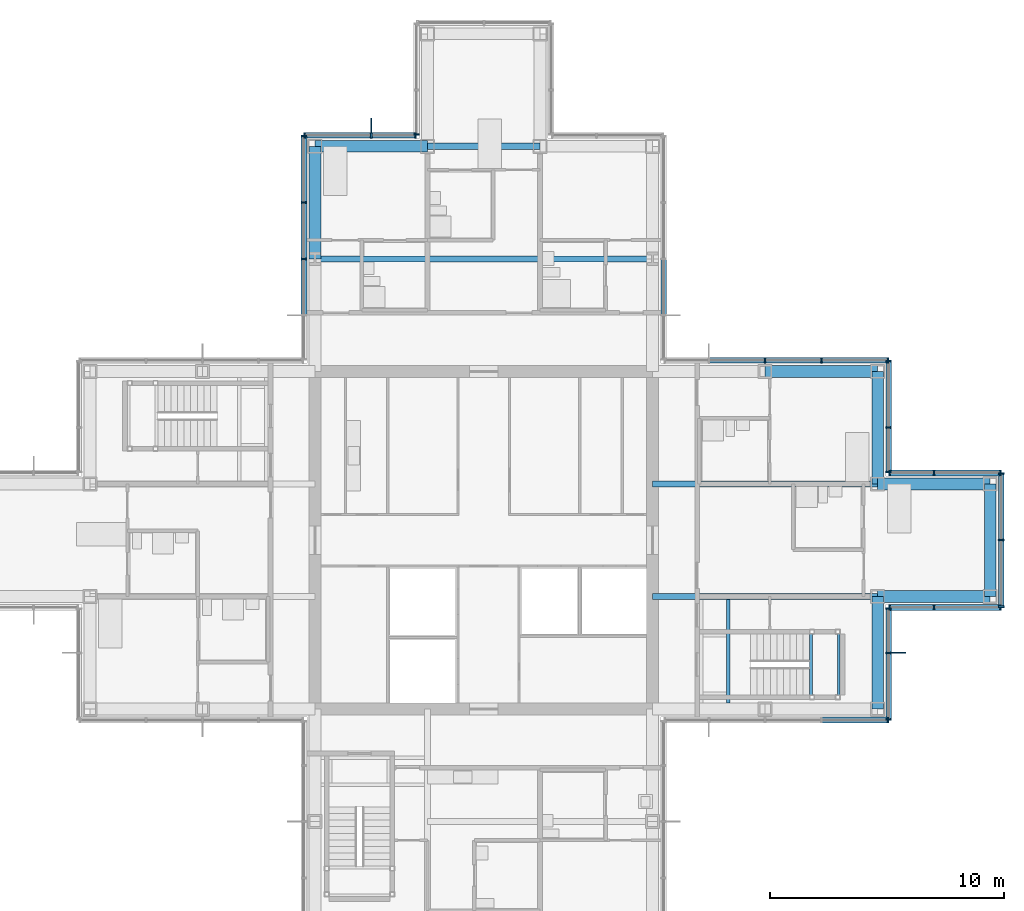
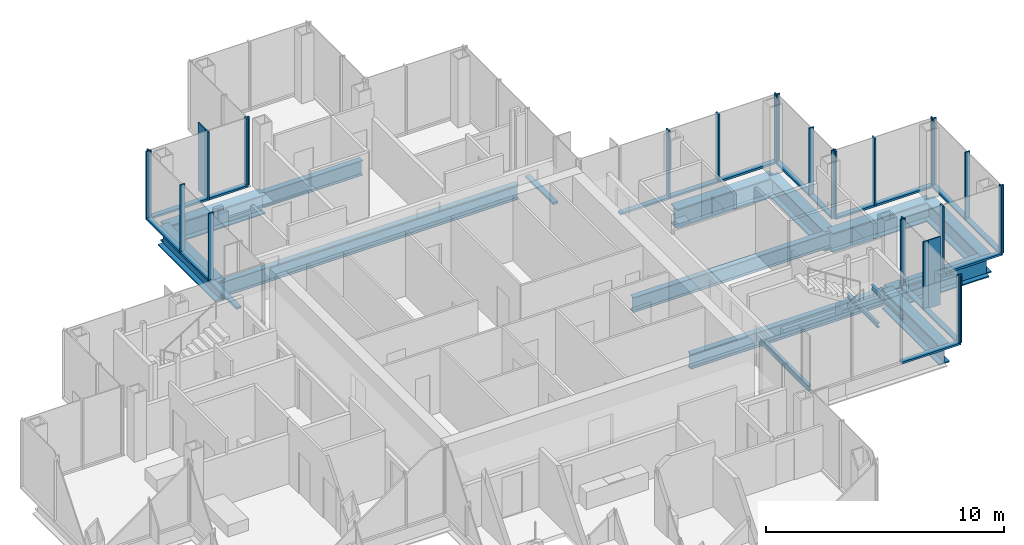
# One storey, part 8 of 17: 48 members, 15 beams, 11 elements without a shape of their own.
"""IFC4 building model written with IfcOpenShell, lengths in metres."""

from ifc_helpers import new_model, si_unit, direction, frame, origin, origin_2d, place, context, subcontext, project, spatial, rectangle, i_section, extrude, material, material_profile, profile_set, type_object, element, aggregate, save


model = new_model("IFC4")

# Units and contexts
model_context = context("Model", 3, precision=1e-05, world=origin(), true_north=direction((0.0, 1.0)))
body_context = subcontext(model_context, "Body", "Model", "MODEL_VIEW")
ifc_project = project(units=[si_unit("LENGTHUNIT", "METRE"), si_unit("AREAUNIT", "SQUARE_METRE"), si_unit("VOLUMEUNIT", "CUBIC_METRE"), si_unit("PLANEANGLEUNIT", "RADIAN"), si_unit("MASSUNIT", "GRAM", prefix="KILO")], contexts=[model_context])

# Site, building, storey
site_placement = place(None, origin())
site = spatial("IfcSite", under=ifc_project, at=site_placement, CompositionType="ELEMENT")
building_placement = place(site_placement, origin())
building = spatial("IfcBuilding", under=site, at=building_placement, Name="Kvirike Care Tower", CompositionType="ELEMENT")
storey_placement = place(building_placement, frame((0.0, 0.0, 151.5)))
storey = spatial("IfcBuildingStorey", under=building, at=storey_placement, Name="L41", CompositionType="ELEMENT", Elevation=151.5)

# Curtain wall, member
ifc_material_1 = material(Name="Anodised aluminium stick system", Category="aluminium")
curtain_wall_type = type_object("IfcCurtainWallType", Name="CW-C STICK CURTAIN WALL", PredefinedType="NOTDEFINED", material=ifc_material_1)
curtain_wall_1_placement = place(storey_placement, origin())
curtain_wall_1 = element("IfcCurtainWall", 1, at=curtain_wall_1_placement, inside=storey, type_object=curtain_wall_type, Name="Curtain wall L41 face 2", PredefinedType="NOTDEFINED")
ifc_material_2 = material(Name="Bronze anodised aluminium fin", Category="aluminium")
ifc_material_profile_1 = material_profile(ifc_material_2, rectangle(XDim=0.050048828125, YDim=0.60009765625, at=origin_2d()), Name="BRONZE FIN 600")
ifc_profile_set_1 = profile_set([ifc_material_profile_1], Name="Bronze anodised aluminium fin")
member_type_1 = type_object("IfcMemberType", Name="BRONZE FIN 600", PredefinedType="USERDEFINED", material=ifc_profile_set_1)
member_1_placement = place(storey_placement, frame((39.2900390625, 31.199951171875, 0.0), z_axis=(0.0, 0.0, 1.0), x_axis=(0.0, 1.0, 0.0)))
member_1 = element("IfcMember", 2, at=member_1_placement, type_object=member_type_1, Name="Bronze fin L41 face 2.2", ObjectType="FIN", PredefinedType="USERDEFINED", context=body_context, shape_type="SweptSolid", body=[
    extrude(rectangle(XDim=0.050048828125, YDim=0.60009765625, at=origin_2d()), origin(), (0.0, 0.0, 1.0), 3.5),
])

curtain_wall_2_placement = place(storey_placement, origin())
curtain_wall_2 = element("IfcCurtainWall", 3, at=curtain_wall_2_placement, inside=storey, type_object=curtain_wall_type, Name="Curtain wall L41 face 13", PredefinedType="NOTDEFINED")
member_2_placement = place(storey_placement, frame((16.800048828125, 53.68994140625, 0.0), z_axis=(0.0, 0.0, 1.0), x_axis=(-1.0, 0.0, 0.0)))
member_2 = element("IfcMember", 4, at=member_2_placement, type_object=member_type_1, Name="Bronze fin L41 face 13.2", ObjectType="FIN", PredefinedType="USERDEFINED", context=body_context, shape_type="SweptSolid", body=[
    extrude(rectangle(XDim=0.050048828125, YDim=0.60009765625, at=origin_2d()), origin(), (0.0, 0.0, 1.0), 3.5),
])

curtain_wall_3_placement = place(storey_placement, origin())
curtain_wall_3 = element("IfcCurtainWall", 5, at=curtain_wall_3_placement, inside=storey, type_object=curtain_wall_type, Name="Curtain wall L41 face 1", PredefinedType="NOTDEFINED")
ifc_material_3 = material(Name="Bronze anodised aluminium mullion", Category="aluminium")
ifc_material_profile_2 = material_profile(ifc_material_3, rectangle(XDim=0.06494140625, YDim=0.239990234375, at=origin_2d()), Name="CW-C MULLION 65x240")
ifc_profile_set_2 = profile_set([ifc_material_profile_2], Name="Bronze anodised aluminium mullion")
member_type_2 = type_object("IfcMemberType", Name="CW-C MULLION 65x240", PredefinedType="MULLION", material=ifc_profile_set_2)
member_3_placement = place(storey_placement, frame((38.83740234375, 28.330078125, 0.0), z_axis=(0.0, 0.0, 1.0), x_axis=(1.0, 0.0, 0.0)))
member_3 = element("IfcMember", 6, at=member_3_placement, type_object=member_type_2, Name="CW-C mullion L41 face 1.5", PredefinedType="MULLION", context=body_context, shape_type="SweptSolid", body=[
    extrude(rectangle(XDim=0.06494140625, YDim=0.239990234375, at=origin_2d()), origin(), (0.0, 0.0, 1.0), 3.5),
])

# Member
member_4_placement = place(storey_placement, frame((38.8701171875, 28.362548828125, 0.0), z_axis=(0.0, 0.0, 1.0), x_axis=(0.0, 1.0, 0.0)))
member_4 = element("IfcMember", 7, at=member_4_placement, type_object=member_type_2, Name="CW-C mullion L41 face 2.1", PredefinedType="MULLION", context=body_context, shape_type="SweptSolid", body=[
    extrude(rectangle(XDim=0.06494140625, YDim=0.239990234375, at=origin_2d()), origin(), (0.0, 0.0, 1.0), 3.5),
])

member_5_placement = place(storey_placement, frame((38.8701171875, 31.199951171875, 0.0), z_axis=(0.0, 0.0, 1.0), x_axis=(0.0, 1.0, 0.0)))
member_5 = element("IfcMember", 8, at=member_5_placement, type_object=member_type_2, Name="CW-C mullion L41 face 2.2", PredefinedType="MULLION", context=body_context, shape_type="SweptSolid", body=[
    extrude(rectangle(XDim=0.06494140625, YDim=0.239990234375, at=origin_2d()), origin(), (0.0, 0.0, 1.0), 3.5),
])

member_6_placement = place(storey_placement, frame((38.8701171875, 33.097412109375, 0.0), z_axis=(0.0, 0.0, 1.0), x_axis=(0.0, 1.0, 0.0)))
member_6 = element("IfcMember", 9, at=member_6_placement, type_object=member_type_2, Name="CW-C mullion L41 face 2.3", PredefinedType="MULLION", context=body_context, shape_type="SweptSolid", body=[
    extrude(rectangle(XDim=0.06494140625, YDim=0.239990234375, at=origin_2d()), origin(), (0.0, 0.0, 1.0), 3.5),
])

# Curtain wall, members
curtain_wall_4_placement = place(storey_placement, origin())
curtain_wall_4 = element("IfcCurtainWall", 10, at=curtain_wall_4_placement, inside=storey, type_object=curtain_wall_type, Name="Curtain wall L41 face 3", PredefinedType="NOTDEFINED")
member_7_placement = place(storey_placement, frame((38.902587890625, 33.1298828125, 0.0), z_axis=(0.0, 0.0, 1.0), x_axis=(1.0, 0.0, 0.0)))
member_7 = element("IfcMember", 11, at=member_7_placement, type_object=member_type_2, Name="CW-C mullion L41 face 3.1", PredefinedType="MULLION", context=body_context, shape_type="SweptSolid", body=[
    extrude(rectangle(XDim=0.06494140625, YDim=0.239990234375, at=origin_2d()), origin(), (0.0, 0.0, 1.0), 3.5),
])
member_8_placement = place(storey_placement, frame((40.800048828125, 33.1298828125, 0.0), z_axis=(0.0, 0.0, 1.0), x_axis=(1.0, 0.0, 0.0)))
member_8 = element("IfcMember", 12, at=member_8_placement, type_object=member_type_2, Name="CW-C mullion L41 face 3.2", PredefinedType="MULLION", context=body_context, shape_type="SweptSolid", body=[
    extrude(rectangle(XDim=0.06494140625, YDim=0.239990234375, at=origin_2d()), origin(), (0.0, 0.0, 1.0), 3.5),
])
member_9_placement = place(storey_placement, frame((43.637451171875, 33.1298828125, 0.0), z_axis=(0.0, 0.0, 1.0), x_axis=(1.0, 0.0, 0.0)))
member_9 = element("IfcMember", 13, at=member_9_placement, type_object=member_type_2, Name="CW-C mullion L41 face 3.3", PredefinedType="MULLION", context=body_context, shape_type="SweptSolid", body=[
    extrude(rectangle(XDim=0.06494140625, YDim=0.239990234375, at=origin_2d()), origin(), (0.0, 0.0, 1.0), 3.5),
])

curtain_wall_5_placement = place(storey_placement, origin())
curtain_wall_5 = element("IfcCurtainWall", 14, at=curtain_wall_5_placement, inside=storey, type_object=curtain_wall_type, Name="Curtain wall L41 face 4", PredefinedType="NOTDEFINED")
member_10_placement = place(storey_placement, frame((43.669921875, 33.16259765625, 0.0), z_axis=(0.0, 0.0, 1.0), x_axis=(0.0, 1.0, 0.0)))
member_10 = element("IfcMember", 15, at=member_10_placement, type_object=member_type_2, Name="CW-C mullion L41 face 4.1", PredefinedType="MULLION", context=body_context, shape_type="SweptSolid", body=[
    extrude(rectangle(XDim=0.06494140625, YDim=0.239990234375, at=origin_2d()), origin(), (0.0, 0.0, 1.0), 3.5),
])
member_11_placement = place(storey_placement, frame((43.669921875, 36.0, 0.0), z_axis=(0.0, 0.0, 1.0), x_axis=(0.0, 1.0, 0.0)))
member_11 = element("IfcMember", 16, at=member_11_placement, type_object=member_type_2, Name="CW-C mullion L41 face 4.2", PredefinedType="MULLION", context=body_context, shape_type="SweptSolid", body=[
    extrude(rectangle(XDim=0.06494140625, YDim=0.239990234375, at=origin_2d()), origin(), (0.0, 0.0, 1.0), 3.5),
])
member_12_placement = place(storey_placement, frame((43.669921875, 38.83740234375, 0.0), z_axis=(0.0, 0.0, 1.0), x_axis=(0.0, 1.0, 0.0)))
member_12 = element("IfcMember", 17, at=member_12_placement, type_object=member_type_2, Name="CW-C mullion L41 face 4.3", PredefinedType="MULLION", context=body_context, shape_type="SweptSolid", body=[
    extrude(rectangle(XDim=0.06494140625, YDim=0.239990234375, at=origin_2d()), origin(), (0.0, 0.0, 1.0), 3.5),
])

curtain_wall_6_placement = place(storey_placement, origin())
curtain_wall_6 = element("IfcCurtainWall", 18, at=curtain_wall_6_placement, inside=storey, type_object=curtain_wall_type, Name="Curtain wall L41 face 5", PredefinedType="NOTDEFINED")
member_13_placement = place(storey_placement, frame((43.637451171875, 38.8701171875, 0.0), z_axis=(0.0, 0.0, 1.0), x_axis=(-1.0, 0.0, 0.0)))
member_13 = element("IfcMember", 19, at=member_13_placement, type_object=member_type_2, Name="CW-C mullion L41 face 5.1", PredefinedType="MULLION", context=body_context, shape_type="SweptSolid", body=[
    extrude(rectangle(XDim=0.06494140625, YDim=0.239990234375, at=origin_2d()), origin(), (0.0, 0.0, 1.0), 3.5),
])
member_14_placement = place(storey_placement, frame((40.800048828125, 38.8701171875, 0.0), z_axis=(0.0, 0.0, 1.0), x_axis=(-1.0, 0.0, 0.0)))
member_14 = element("IfcMember", 20, at=member_14_placement, type_object=member_type_2, Name="CW-C mullion L41 face 5.2", PredefinedType="MULLION", context=body_context, shape_type="SweptSolid", body=[
    extrude(rectangle(XDim=0.06494140625, YDim=0.239990234375, at=origin_2d()), origin(), (0.0, 0.0, 1.0), 3.5),
])
member_15_placement = place(storey_placement, frame((38.902587890625, 38.8701171875, 0.0), z_axis=(0.0, 0.0, 1.0), x_axis=(-1.0, 0.0, 0.0)))
member_15 = element("IfcMember", 21, at=member_15_placement, type_object=member_type_2, Name="CW-C mullion L41 face 5.3", PredefinedType="MULLION", context=body_context, shape_type="SweptSolid", body=[
    extrude(rectangle(XDim=0.06494140625, YDim=0.239990234375, at=origin_2d()), origin(), (0.0, 0.0, 1.0), 3.5),
])

curtain_wall_7_placement = place(storey_placement, origin())
curtain_wall_7 = element("IfcCurtainWall", 22, at=curtain_wall_7_placement, inside=storey, type_object=curtain_wall_type, Name="Curtain wall L41 face 6", PredefinedType="NOTDEFINED")
member_16_placement = place(storey_placement, frame((38.8701171875, 38.902587890625, 0.0), z_axis=(0.0, 0.0, 1.0), x_axis=(0.0, 1.0, 0.0)))
member_16 = element("IfcMember", 23, at=member_16_placement, type_object=member_type_2, Name="CW-C mullion L41 face 6.1", PredefinedType="MULLION", context=body_context, shape_type="SweptSolid", body=[
    extrude(rectangle(XDim=0.06494140625, YDim=0.239990234375, at=origin_2d()), origin(), (0.0, 0.0, 1.0), 3.5),
])
member_17_placement = place(storey_placement, frame((38.8701171875, 40.800048828125, 0.0), z_axis=(0.0, 0.0, 1.0), x_axis=(0.0, 1.0, 0.0)))
member_17 = element("IfcMember", 24, at=member_17_placement, type_object=member_type_2, Name="CW-C mullion L41 face 6.2", PredefinedType="MULLION", context=body_context, shape_type="SweptSolid", body=[
    extrude(rectangle(XDim=0.06494140625, YDim=0.239990234375, at=origin_2d()), origin(), (0.0, 0.0, 1.0), 3.5),
])
member_18_placement = place(storey_placement, frame((38.8701171875, 43.637451171875, 0.0), z_axis=(0.0, 0.0, 1.0), x_axis=(0.0, 1.0, 0.0)))
member_18 = element("IfcMember", 25, at=member_18_placement, type_object=member_type_2, Name="CW-C mullion L41 face 6.3", PredefinedType="MULLION", context=body_context, shape_type="SweptSolid", body=[
    extrude(rectangle(XDim=0.06494140625, YDim=0.239990234375, at=origin_2d()), origin(), (0.0, 0.0, 1.0), 3.5),
])

curtain_wall_8_placement = place(storey_placement, origin())
curtain_wall_8 = element("IfcCurtainWall", 26, at=curtain_wall_8_placement, inside=storey, type_object=curtain_wall_type, Name="Curtain wall L41 face 7", PredefinedType="NOTDEFINED")
member_19_placement = place(storey_placement, frame((38.83740234375, 43.669921875, 0.0), z_axis=(0.0, 0.0, 1.0), x_axis=(-1.0, 0.0, 0.0)))
member_19 = element("IfcMember", 27, at=member_19_placement, type_object=member_type_2, Name="CW-C mullion L41 face 7.1", PredefinedType="MULLION", context=body_context, shape_type="SweptSolid", body=[
    extrude(rectangle(XDim=0.06494140625, YDim=0.239990234375, at=origin_2d()), origin(), (0.0, 0.0, 1.0), 3.5),
])
member_20_placement = place(storey_placement, frame((36.0, 43.669921875, 0.0), z_axis=(0.0, 0.0, 1.0), x_axis=(-1.0, 0.0, 0.0)))
member_20 = element("IfcMember", 28, at=member_20_placement, type_object=member_type_2, Name="CW-C mullion L41 face 7.2", PredefinedType="MULLION", context=body_context, shape_type="SweptSolid", body=[
    extrude(rectangle(XDim=0.06494140625, YDim=0.239990234375, at=origin_2d()), origin(), (0.0, 0.0, 1.0), 3.5),
])
member_21_placement = place(storey_placement, frame((33.60009765625, 43.669921875, 0.0), z_axis=(0.0, 0.0, 1.0), x_axis=(-1.0, 0.0, 0.0)))
member_21 = element("IfcMember", 29, at=member_21_placement, type_object=member_type_2, Name="CW-C mullion L41 face 7.3", PredefinedType="MULLION", context=body_context, shape_type="SweptSolid", body=[
    extrude(rectangle(XDim=0.06494140625, YDim=0.239990234375, at=origin_2d()), origin(), (0.0, 0.0, 1.0), 3.5),
])

# Curtain wall, member
curtain_wall_9_placement = place(storey_placement, origin())
curtain_wall_9 = element("IfcCurtainWall", 30, at=curtain_wall_9_placement, inside=storey, type_object=curtain_wall_type, Name="Curtain wall L41 face 12", PredefinedType="NOTDEFINED")
member_22_placement = place(storey_placement, frame((18.72998046875, 53.302490234375, 0.0), z_axis=(0.0, 0.0, 1.0), x_axis=(0.0, -1.0, 0.0)))
member_22 = element("IfcMember", 31, at=member_22_placement, type_object=member_type_2, Name="CW-C mullion L41 face 12.3", PredefinedType="MULLION", context=body_context, shape_type="SweptSolid", body=[
    extrude(rectangle(XDim=0.06494140625, YDim=0.239990234375, at=origin_2d()), origin(), (0.0, 0.0, 1.0), 3.5),
])
aggregate(curtain_wall_9, [member_22])

# Member
member_23_placement = place(storey_placement, frame((18.697509765625, 53.27001953125, 0.0), z_axis=(0.0, 0.0, 1.0), x_axis=(-1.0, 0.0, 0.0)))
member_23 = element("IfcMember", 32, at=member_23_placement, type_object=member_type_2, Name="CW-C mullion L41 face 13.1", PredefinedType="MULLION", context=body_context, shape_type="SweptSolid", body=[
    extrude(rectangle(XDim=0.06494140625, YDim=0.239990234375, at=origin_2d()), origin(), (0.0, 0.0, 1.0), 3.5),
])

member_24_placement = place(storey_placement, frame((16.800048828125, 53.27001953125, 0.0), z_axis=(0.0, 0.0, 1.0), x_axis=(-1.0, 0.0, 0.0)))
member_24 = element("IfcMember", 33, at=member_24_placement, type_object=member_type_2, Name="CW-C mullion L41 face 13.2", PredefinedType="MULLION", context=body_context, shape_type="SweptSolid", body=[
    extrude(rectangle(XDim=0.06494140625, YDim=0.239990234375, at=origin_2d()), origin(), (0.0, 0.0, 1.0), 3.5),
])

member_25_placement = place(storey_placement, frame((13.96240234375, 53.27001953125, 0.0), z_axis=(0.0, 0.0, 1.0), x_axis=(-1.0, 0.0, 0.0)))
member_25 = element("IfcMember", 34, at=member_25_placement, type_object=member_type_2, Name="CW-C mullion L41 face 13.3", PredefinedType="MULLION", context=body_context, shape_type="SweptSolid", body=[
    extrude(rectangle(XDim=0.06494140625, YDim=0.239990234375, at=origin_2d()), origin(), (0.0, 0.0, 1.0), 3.5),
])

# Curtain wall, members
curtain_wall_10_placement = place(storey_placement, origin())
curtain_wall_10 = element("IfcCurtainWall", 35, at=curtain_wall_10_placement, inside=storey, type_object=curtain_wall_type, Name="Curtain wall L41 face 14", PredefinedType="NOTDEFINED")
member_26_placement = place(storey_placement, frame((13.929931640625, 53.237548828125, 0.0), z_axis=(0.0, 0.0, 1.0), x_axis=(0.0, -1.0, 0.0)))
member_26 = element("IfcMember", 36, at=member_26_placement, type_object=member_type_2, Name="CW-C mullion L41 face 14.1", PredefinedType="MULLION", context=body_context, shape_type="SweptSolid", body=[
    extrude(rectangle(XDim=0.06494140625, YDim=0.239990234375, at=origin_2d()), origin(), (0.0, 0.0, 1.0), 3.5),
])
member_27_placement = place(storey_placement, frame((13.929931640625, 50.39990234375, 0.0), z_axis=(0.0, 0.0, 1.0), x_axis=(0.0, -1.0, 0.0)))
member_27 = element("IfcMember", 37, at=member_27_placement, type_object=member_type_2, Name="CW-C mullion L41 face 14.2", PredefinedType="MULLION", context=body_context, shape_type="SweptSolid", body=[
    extrude(rectangle(XDim=0.06494140625, YDim=0.239990234375, at=origin_2d()), origin(), (0.0, 0.0, 1.0), 3.5),
])
member_28_placement = place(storey_placement, frame((13.929931640625, 48.0, 0.0), z_axis=(0.0, 0.0, 1.0), x_axis=(0.0, -1.0, 0.0)))
member_28 = element("IfcMember", 38, at=member_28_placement, type_object=member_type_2, Name="CW-C mullion L41 face 14.3", PredefinedType="MULLION", context=body_context, shape_type="SweptSolid", body=[
    extrude(rectangle(XDim=0.06494140625, YDim=0.239990234375, at=origin_2d()), origin(), (0.0, 0.0, 1.0), 3.5),
])

# Member
ifc_material_4 = material(Name="Bronze anodised aluminium transom", Category="aluminium")
ifc_material_profile_3 = material_profile(ifc_material_4, rectangle(XDim=0.239990234375, YDim=0.10009765625, at=origin_2d()), Name="CW-C TRANSOM 240x100")
ifc_profile_set_3 = profile_set([ifc_material_profile_3], Name="Bronze anodised aluminium transom")
member_type_3 = type_object("IfcMemberType", Name="CW-C TRANSOM 240x100", PredefinedType="USERDEFINED", material=ifc_profile_set_3)
member_29_placement = place(storey_placement, frame((36.032470703125, 28.330078125, 0.050048828125), z_axis=(1.0, 0.0, 0.0), x_axis=(0.0, 1.0, 0.0)))
member_29 = element("IfcMember", 39, at=member_29_placement, type_object=member_type_3, Name="CW-C sill transom L41 face 1.4", ObjectType="TRANSOM", PredefinedType="USERDEFINED", context=body_context, shape_type="SweptSolid", body=[
    extrude(rectangle(XDim=0.239990234375, YDim=0.10009765625, at=origin_2d()), origin(), (0.0, 0.0, 1.0), 2.7724609375),
])

aggregate(curtain_wall_3, [member_3, member_29])

member_30_placement = place(storey_placement, frame((38.8701171875, 28.39501953125, 0.050048828125), z_axis=(0.0, 1.0, 0.0), x_axis=(-1.0, 0.0, 0.0)))
member_30 = element("IfcMember", 40, at=member_30_placement, type_object=member_type_3, Name="CW-C sill transom L41 face 2.1", ObjectType="TRANSOM", PredefinedType="USERDEFINED", context=body_context, shape_type="SweptSolid", body=[
    extrude(rectangle(XDim=0.239990234375, YDim=0.10009765625, at=origin_2d()), origin(), (0.0, 0.0, 1.0), 2.7724609375),
])

member_31_placement = place(storey_placement, frame((38.8701171875, 31.232421875, 0.050048828125), z_axis=(0.0, 1.0, 0.0), x_axis=(-1.0, 0.0, 0.0)))
member_31 = element("IfcMember", 41, at=member_31_placement, type_object=member_type_3, Name="CW-C sill transom L41 face 2.2", ObjectType="TRANSOM", PredefinedType="USERDEFINED", context=body_context, shape_type="SweptSolid", body=[
    extrude(rectangle(XDim=0.239990234375, YDim=0.10009765625, at=origin_2d()), origin(), (0.0, 0.0, 1.0), 1.83251953125),
])

aggregate(curtain_wall_1, [member_4, member_5, member_1, member_6, member_30, member_31])

member_32_placement = place(storey_placement, frame((38.93505859375, 33.1298828125, 0.050048828125), z_axis=(1.0, 0.0, 0.0), x_axis=(0.0, 1.0, 0.0)))
member_32 = element("IfcMember", 42, at=member_32_placement, type_object=member_type_3, Name="CW-C sill transom L41 face 3.1", ObjectType="TRANSOM", PredefinedType="USERDEFINED", context=body_context, shape_type="SweptSolid", body=[
    extrude(rectangle(XDim=0.239990234375, YDim=0.10009765625, at=origin_2d()), origin(), (0.0, 0.0, 1.0), 1.83251953125),
])

member_33_placement = place(storey_placement, frame((40.83251953125, 33.1298828125, 0.050048828125), z_axis=(1.0, 0.0, 0.0), x_axis=(0.0, 1.0, 0.0)))
member_33 = element("IfcMember", 43, at=member_33_placement, type_object=member_type_3, Name="CW-C sill transom L41 face 3.2", ObjectType="TRANSOM", PredefinedType="USERDEFINED", context=body_context, shape_type="SweptSolid", body=[
    extrude(rectangle(XDim=0.239990234375, YDim=0.10009765625, at=origin_2d()), origin(), (0.0, 0.0, 1.0), 2.7724609375),
])

aggregate(curtain_wall_4, [member_7, member_8, member_9, member_32, member_33])

member_34_placement = place(storey_placement, frame((43.669921875, 33.195068359375, 0.050048828125), z_axis=(0.0, 1.0, 0.0), x_axis=(-1.0, 0.0, 0.0)))
member_34 = element("IfcMember", 44, at=member_34_placement, type_object=member_type_3, Name="CW-C sill transom L41 face 4.1", ObjectType="TRANSOM", PredefinedType="USERDEFINED", context=body_context, shape_type="SweptSolid", body=[
    extrude(rectangle(XDim=0.239990234375, YDim=0.10009765625, at=origin_2d()), origin(), (0.0, 0.0, 1.0), 2.7724609375),
])

member_35_placement = place(storey_placement, frame((43.669921875, 36.032470703125, 0.050048828125), z_axis=(0.0, 1.0, 0.0), x_axis=(-1.0, 0.0, 0.0)))
member_35 = element("IfcMember", 45, at=member_35_placement, type_object=member_type_3, Name="CW-C sill transom L41 face 4.2", ObjectType="TRANSOM", PredefinedType="USERDEFINED", context=body_context, shape_type="SweptSolid", body=[
    extrude(rectangle(XDim=0.239990234375, YDim=0.10009765625, at=origin_2d()), origin(), (0.0, 0.0, 1.0), 2.7724609375),
])

aggregate(curtain_wall_5, [member_10, member_11, member_12, member_34, member_35])

member_36_placement = place(storey_placement, frame((43.60498046875, 38.8701171875, 0.050048828125), z_axis=(-1.0, 0.0, 0.0), x_axis=(0.0, -1.0, 0.0)))
member_36 = element("IfcMember", 46, at=member_36_placement, type_object=member_type_3, Name="CW-C sill transom L41 face 5.1", ObjectType="TRANSOM", PredefinedType="USERDEFINED", context=body_context, shape_type="SweptSolid", body=[
    extrude(rectangle(XDim=0.239990234375, YDim=0.10009765625, at=origin_2d()), origin(), (0.0, 0.0, 1.0), 2.7724609375),
])

member_37_placement = place(storey_placement, frame((40.767578125, 38.8701171875, 0.050048828125), z_axis=(-1.0, 0.0, 0.0), x_axis=(0.0, -1.0, 0.0)))
member_37 = element("IfcMember", 47, at=member_37_placement, type_object=member_type_3, Name="CW-C sill transom L41 face 5.2", ObjectType="TRANSOM", PredefinedType="USERDEFINED", context=body_context, shape_type="SweptSolid", body=[
    extrude(rectangle(XDim=0.239990234375, YDim=0.10009765625, at=origin_2d()), origin(), (0.0, 0.0, 1.0), 1.83251953125),
])

aggregate(curtain_wall_6, [member_13, member_14, member_15, member_36, member_37])

member_38_placement = place(storey_placement, frame((38.8701171875, 38.93505859375, 0.050048828125), z_axis=(0.0, 1.0, 0.0), x_axis=(-1.0, 0.0, 0.0)))
member_38 = element("IfcMember", 48, at=member_38_placement, type_object=member_type_3, Name="CW-C sill transom L41 face 6.1", ObjectType="TRANSOM", PredefinedType="USERDEFINED", context=body_context, shape_type="SweptSolid", body=[
    extrude(rectangle(XDim=0.239990234375, YDim=0.10009765625, at=origin_2d()), origin(), (0.0, 0.0, 1.0), 1.83251953125),
])

member_39_placement = place(storey_placement, frame((38.8701171875, 40.83251953125, 0.050048828125), z_axis=(0.0, 1.0, 0.0), x_axis=(-1.0, 0.0, 0.0)))
member_39 = element("IfcMember", 49, at=member_39_placement, type_object=member_type_3, Name="CW-C sill transom L41 face 6.2", ObjectType="TRANSOM", PredefinedType="USERDEFINED", context=body_context, shape_type="SweptSolid", body=[
    extrude(rectangle(XDim=0.239990234375, YDim=0.10009765625, at=origin_2d()), origin(), (0.0, 0.0, 1.0), 2.7724609375),
])

aggregate(curtain_wall_7, [member_16, member_17, member_18, member_38, member_39])

member_40_placement = place(storey_placement, frame((38.804931640625, 43.669921875, 0.050048828125), z_axis=(-1.0, 0.0, 0.0), x_axis=(0.0, -1.0, 0.0)))
member_40 = element("IfcMember", 50, at=member_40_placement, type_object=member_type_3, Name="CW-C sill transom L41 face 7.1", ObjectType="TRANSOM", PredefinedType="USERDEFINED", context=body_context, shape_type="SweptSolid", body=[
    extrude(rectangle(XDim=0.239990234375, YDim=0.10009765625, at=origin_2d()), origin(), (0.0, 0.0, 1.0), 2.7724609375),
])

member_41_placement = place(storey_placement, frame((35.967529296875, 43.669921875, 0.050048828125), z_axis=(-1.0, 0.0, 0.0), x_axis=(0.0, -1.0, 0.0)))
member_41 = element("IfcMember", 51, at=member_41_placement, type_object=member_type_3, Name="CW-C sill transom L41 face 7.2", ObjectType="TRANSOM", PredefinedType="USERDEFINED", context=body_context, shape_type="SweptSolid", body=[
    extrude(rectangle(XDim=0.239990234375, YDim=0.10009765625, at=origin_2d()), origin(), (0.0, 0.0, 1.0), 2.3349609375),
])

member_42_placement = place(storey_placement, frame((33.5673828125, 43.669921875, 0.050048828125), z_axis=(-1.0, 0.0, 0.0), x_axis=(0.0, -1.0, 0.0)))
member_42 = element("IfcMember", 52, at=member_42_placement, type_object=member_type_3, Name="CW-C sill transom L41 face 7.3", ObjectType="TRANSOM", PredefinedType="USERDEFINED", context=body_context, shape_type="SweptSolid", body=[
    extrude(rectangle(XDim=0.239990234375, YDim=0.10009765625, at=origin_2d()), origin(), (0.0, 0.0, 1.0), 2.3349609375),
])

aggregate(curtain_wall_8, [member_19, member_20, member_21, member_40, member_41, member_42])

# Curtain wall, member
curtain_wall_11_placement = place(storey_placement, origin())
curtain_wall_11 = element("IfcCurtainWall", 53, at=curtain_wall_11_placement, inside=storey, type_object=curtain_wall_type, Name="Curtain wall L41 face 8", PredefinedType="NOTDEFINED")
member_43_placement = place(storey_placement, frame((29.27001953125, 45.632568359375, 0.050048828125), z_axis=(0.0, 1.0, 0.0), x_axis=(-1.0, 0.0, 0.0)))
member_43 = element("IfcMember", 54, at=member_43_placement, type_object=member_type_3, Name="CW-C sill transom L41 face 8.2", ObjectType="TRANSOM", PredefinedType="USERDEFINED", context=body_context, shape_type="SweptSolid", body=[
    extrude(rectangle(XDim=0.239990234375, YDim=0.10009765625, at=origin_2d()), origin(), (0.0, 0.0, 1.0), 2.3349609375),
])
aggregate(curtain_wall_11, [member_43])

# Member
member_44_placement = place(storey_placement, frame((18.6650390625, 53.27001953125, 0.050048828125), z_axis=(-1.0, 0.0, 0.0), x_axis=(0.0, -1.0, 0.0)))
member_44 = element("IfcMember", 55, at=member_44_placement, type_object=member_type_3, Name="CW-C sill transom L41 face 13.1", ObjectType="TRANSOM", PredefinedType="USERDEFINED", context=body_context, shape_type="SweptSolid", body=[
    extrude(rectangle(XDim=0.239990234375, YDim=0.10009765625, at=origin_2d()), origin(), (0.0, 0.0, 1.0), 1.83251953125),
])

member_45_placement = place(storey_placement, frame((16.767578125, 53.27001953125, 0.050048828125), z_axis=(-1.0, 0.0, 0.0), x_axis=(0.0, -1.0, 0.0)))
member_45 = element("IfcMember", 56, at=member_45_placement, type_object=member_type_3, Name="CW-C sill transom L41 face 13.2", ObjectType="TRANSOM", PredefinedType="USERDEFINED", context=body_context, shape_type="SweptSolid", body=[
    extrude(rectangle(XDim=0.239990234375, YDim=0.10009765625, at=origin_2d()), origin(), (0.0, 0.0, 1.0), 2.7724609375),
])

aggregate(curtain_wall_2, [member_23, member_24, member_2, member_25, member_44, member_45])

member_46_placement = place(storey_placement, frame((13.929931640625, 53.205078125, 0.050048828125), z_axis=(0.0, -1.0, 0.0), x_axis=(1.0, 0.0, 0.0)))
member_46 = element("IfcMember", 57, at=member_46_placement, type_object=member_type_3, Name="CW-C sill transom L41 face 14.1", ObjectType="TRANSOM", PredefinedType="USERDEFINED", context=body_context, shape_type="SweptSolid", body=[
    extrude(rectangle(XDim=0.239990234375, YDim=0.10009765625, at=origin_2d()), origin(), (0.0, 0.0, 1.0), 2.7724609375),
])

member_47_placement = place(storey_placement, frame((13.929931640625, 50.367431640625, 0.050048828125), z_axis=(0.0, -1.0, 0.0), x_axis=(1.0, 0.0, 0.0)))
member_47 = element("IfcMember", 58, at=member_47_placement, type_object=member_type_3, Name="CW-C sill transom L41 face 14.2", ObjectType="TRANSOM", PredefinedType="USERDEFINED", context=body_context, shape_type="SweptSolid", body=[
    extrude(rectangle(XDim=0.239990234375, YDim=0.10009765625, at=origin_2d()), origin(), (0.0, 0.0, 1.0), 2.3349609375),
])

member_48_placement = place(storey_placement, frame((13.929931640625, 47.967529296875, 0.050048828125), z_axis=(0.0, -1.0, 0.0), x_axis=(1.0, 0.0, 0.0)))
member_48 = element("IfcMember", 59, at=member_48_placement, type_object=member_type_3, Name="CW-C sill transom L41 face 14.3", ObjectType="TRANSOM", PredefinedType="USERDEFINED", context=body_context, shape_type="SweptSolid", body=[
    extrude(rectangle(XDim=0.239990234375, YDim=0.10009765625, at=origin_2d()), origin(), (0.0, 0.0, 1.0), 2.3349609375),
])

aggregate(curtain_wall_10, [member_26, member_27, member_28, member_46, member_47, member_48])

# Beams
ifc_material_5 = material(Name="Steel S355", Category="steel")
ifc_material_profile_4 = material_profile(ifc_material_5, i_section(OverallWidth=0.26806640625, OverallDepth=0.77001953125, WebThickness=0.015625, FlangeThickness=0.025390625, FilletRadius=0.01708984375, at=origin_2d()), Name="IPE 750x196")
ifc_profile_set_4 = profile_set([ifc_material_profile_4], Name="Steel S355")
beam_type_1 = type_object("IfcBeamType", Name="FLOOR BEAM IPE 750x196", PredefinedType="BEAM", material=ifc_profile_set_4)
for number, where, z_axis, x_axis, name in (
    (60, (28.800048828125, 33.60009765625, -0.554931640625), (1.0, 0.0, 0.0), (0.0, 1.0, 0.0), "Floor Beam H9-H11 L41"),
    (61, (28.800048828125, 38.39990234375, -0.554931640625), (1.0, 0.0, 0.0), (0.0, 1.0, 0.0), "Floor Beam J9-J11 L41"),
):
    element("IfcBeam", number, at=place(storey_placement, frame(where, z_axis=z_axis, x_axis=x_axis)), inside=storey, type_object=beam_type_1, Name=name, PredefinedType="BEAM", context=body_context, shape_type="SweptSolid", body=[
        extrude(i_section(OverallWidth=0.26806640625, OverallDepth=0.77001953125, WebThickness=0.015625, FlangeThickness=0.025390625, FilletRadius=0.01708984375, at=origin_2d()), origin(), (0.0, 0.0, 1.0), 9.599853515625),
    ])
beam_1_placement = place(storey_placement, frame((14.39990234375, 48.0, -0.554931640625), z_axis=(1.0, 0.0, 0.0), x_axis=(0.0, 1.0, 0.0)))
element("IfcBeam", 62, at=beam_1_placement, inside=storey, type_object=beam_type_1, Name="Floor Beam L6-L9 L41", PredefinedType="BEAM", context=body_context, shape_type="SweptSolid", body=[
    extrude(i_section(OverallWidth=0.26806640625, OverallDepth=0.77001953125, WebThickness=0.015625, FlangeThickness=0.025390625, FilletRadius=0.01708984375, at=origin_2d()), origin(), (0.0, 0.0, 1.0), 14.400146484375),
])
beam_2_placement = place(storey_placement, frame((19.199951171875, 52.800048828125, -0.554931640625), z_axis=(1.0, 0.0, 0.0), x_axis=(0.0, 1.0, 0.0)))
element("IfcBeam", 63, at=beam_2_placement, inside=storey, type_object=beam_type_1, Name="Floor Beam M7-M8 L41", PredefinedType="BEAM", context=body_context, shape_type="SweptSolid", body=[
    extrude(i_section(OverallWidth=0.26806640625, OverallDepth=0.77001953125, WebThickness=0.015625, FlangeThickness=0.025390625, FilletRadius=0.01708984375, at=origin_2d()), origin(), (0.0, 0.0, 1.0), 4.800048828125),
])
ifc_material_6 = material(Name="Steel S355", Category="steel")
ifc_material_profile_5 = material_profile(ifc_material_6, i_section(OverallWidth=0.5, OverallDepth=1.0, WebThickness=0.030029296875, FlangeThickness=0.06005859375, at=origin_2d()), Name="PG 1000x500x30x60")
ifc_profile_set_5 = profile_set([ifc_material_profile_5], Name="Steel S355")
beam_type_2 = type_object("IfcBeamType", Name="SPANDREL PG 1000x500x30x60", PredefinedType="SPANDREL", material=ifc_profile_set_5)
for number, where, z_axis, x_axis, name in (
    (64, (38.39990234375, 33.60009765625, -0.669921875), (1.0, 0.0, 0.0), (0.0, 1.0, 0.0), "Spandrel H11-H12 L41"),
    (65, (38.39990234375, 38.39990234375, -0.669921875), (1.0, 0.0, 0.0), (0.0, 1.0, 0.0), "Spandrel J11-J12 L41"),
):
    element("IfcBeam", number, at=place(storey_placement, frame(where, z_axis=z_axis, x_axis=x_axis)), inside=storey, type_object=beam_type_2, Name=name, PredefinedType="SPANDREL", context=body_context, shape_type="SweptSolid", body=[
        extrude(i_section(OverallWidth=0.5, OverallDepth=1.0, WebThickness=0.030029296875, FlangeThickness=0.06005859375, at=origin_2d()), origin(), (0.0, 0.0, 1.0), 4.800048828125),
    ])
beam_3_placement = place(storey_placement, frame((33.60009765625, 43.199951171875, -0.669921875), z_axis=(1.0, 0.0, 0.0), x_axis=(0.0, 1.0, 0.0)))
element("IfcBeam", 66, at=beam_3_placement, inside=storey, type_object=beam_type_2, Name="Spandrel K10-K11 L41", PredefinedType="SPANDREL", context=body_context, shape_type="SweptSolid", body=[
    extrude(i_section(OverallWidth=0.5, OverallDepth=1.0, WebThickness=0.030029296875, FlangeThickness=0.06005859375, at=origin_2d()), origin(), (0.0, 0.0, 1.0), 4.7998046875),
])
for number, where, z_axis, x_axis, name in (
    (67, (14.39990234375, 52.800048828125, -0.669921875), (1.0, 0.0, 0.0), (0.0, 1.0, 0.0), "Spandrel M6-M7 L41"),
    (68, (14.39990234375, 48.0, -0.669921875), (0.0, 1.0, 0.0), (-1.0, 0.0, 0.0), "Spandrel L6-M6 L41"),
    (69, (38.39990234375, 28.800048828125, -0.669921875), (0.0, 1.0, 0.0), (-1.0, 0.0, 0.0), "Spandrel G11-H11 L41"),
    (70, (38.39990234375, 38.39990234375, -0.669921875), (0.0, 1.0, 0.0), (-1.0, 0.0, 0.0), "Spandrel J11-K11 L41"),
):
    element("IfcBeam", number, at=place(storey_placement, frame(where, z_axis=z_axis, x_axis=x_axis)), inside=storey, type_object=beam_type_2, Name=name, PredefinedType="SPANDREL", context=body_context, shape_type="SweptSolid", body=[
        extrude(i_section(OverallWidth=0.5, OverallDepth=1.0, WebThickness=0.030029296875, FlangeThickness=0.06005859375, at=origin_2d()), origin(), (0.0, 0.0, 1.0), 4.800048828125),
    ])
beam_4_placement = place(storey_placement, frame((43.199951171875, 33.60009765625, -0.669921875), z_axis=(0.0, 1.0, 0.0), x_axis=(-1.0, 0.0, 0.0)))
element("IfcBeam", 71, at=beam_4_placement, inside=storey, type_object=beam_type_2, Name="Spandrel H12-J12 L41", PredefinedType="SPANDREL", context=body_context, shape_type="SweptSolid", body=[
    extrude(i_section(OverallWidth=0.5, OverallDepth=1.0, WebThickness=0.030029296875, FlangeThickness=0.06005859375, at=origin_2d()), origin(), (0.0, 0.0, 1.0), 4.7998046875),
])
ifc_material_7 = material(Name="Steel S355", Category="steel")
ifc_material_profile_6 = material_profile(ifc_material_7, i_section(OverallWidth=0.1201171875, OverallDepth=0.239990234375, WebThickness=0.006103515625, FlangeThickness=0.009765625, FilletRadius=0.014892578125, at=origin_2d()), Name="IPE 240")
ifc_profile_set_6 = profile_set([ifc_material_profile_6], Name="Steel S355")
beam_type_3 = type_object("IfcBeamType", Name="STAIR LANDING BEAM IPE 240", PredefinedType="BEAM", material=ifc_profile_set_6)
for number, where, z_axis, x_axis, name in (
    (72, (36.739990234375, 29.39990234375, 1.429931640625), (0.0, 1.0, 0.0), (-1.0, 0.0, 0.0), "Stair 2 landing beam back L41"),
    (73, (35.56005859375, 29.39990234375, 1.429931640625), (0.0, 1.0, 0.0), (-1.0, 0.0, 0.0), "Stair 2 landing beam front L41"),
):
    element("IfcBeam", number, at=place(storey_placement, frame(where, z_axis=z_axis, x_axis=x_axis)), inside=storey, type_object=beam_type_3, Name=name, PredefinedType="BEAM", context=body_context, shape_type="SweptSolid", body=[
        extrude(i_section(OverallWidth=0.1201171875, OverallDepth=0.239990234375, WebThickness=0.006103515625, FlangeThickness=0.009765625, FilletRadius=0.014892578125, at=origin_2d()), origin(), (0.0, 0.0, 1.0), 2.60009765625),
    ])
ifc_material_8 = material(Name="Steel S355", Category="steel")
ifc_material_profile_7 = material_profile(ifc_material_8, i_section(OverallWidth=0.14990234375, OverallDepth=0.300048828125, WebThickness=0.007080078125, FlangeThickness=0.0107421875, FilletRadius=0.014892578125, at=origin_2d()), Name="IPE 300")
ifc_profile_set_7 = profile_set([ifc_material_profile_7], Name="Steel S355")
beam_type_4 = type_object("IfcBeamType", Name="STAIR TRIMMER IPE 300", PredefinedType="BEAM", material=ifc_profile_set_7)
beam_5_placement = place(storey_placement, frame((32.02490234375, 29.050048828125, -0.35009765625), z_axis=(0.0, 1.0, 0.0), x_axis=(-1.0, 0.0, 0.0)))
element("IfcBeam", 74, at=beam_5_placement, inside=storey, type_object=beam_type_4, Name="Stair 2 trimmer 1 L41", PredefinedType="BEAM", context=body_context, shape_type="SweptSolid", body=[
    extrude(i_section(OverallWidth=0.14990234375, OverallDepth=0.300048828125, WebThickness=0.007080078125, FlangeThickness=0.0107421875, FilletRadius=0.014892578125, at=origin_2d()), origin(), (0.0, 0.0, 1.0), 4.416015625),
])

save(model, "model.ifc")
